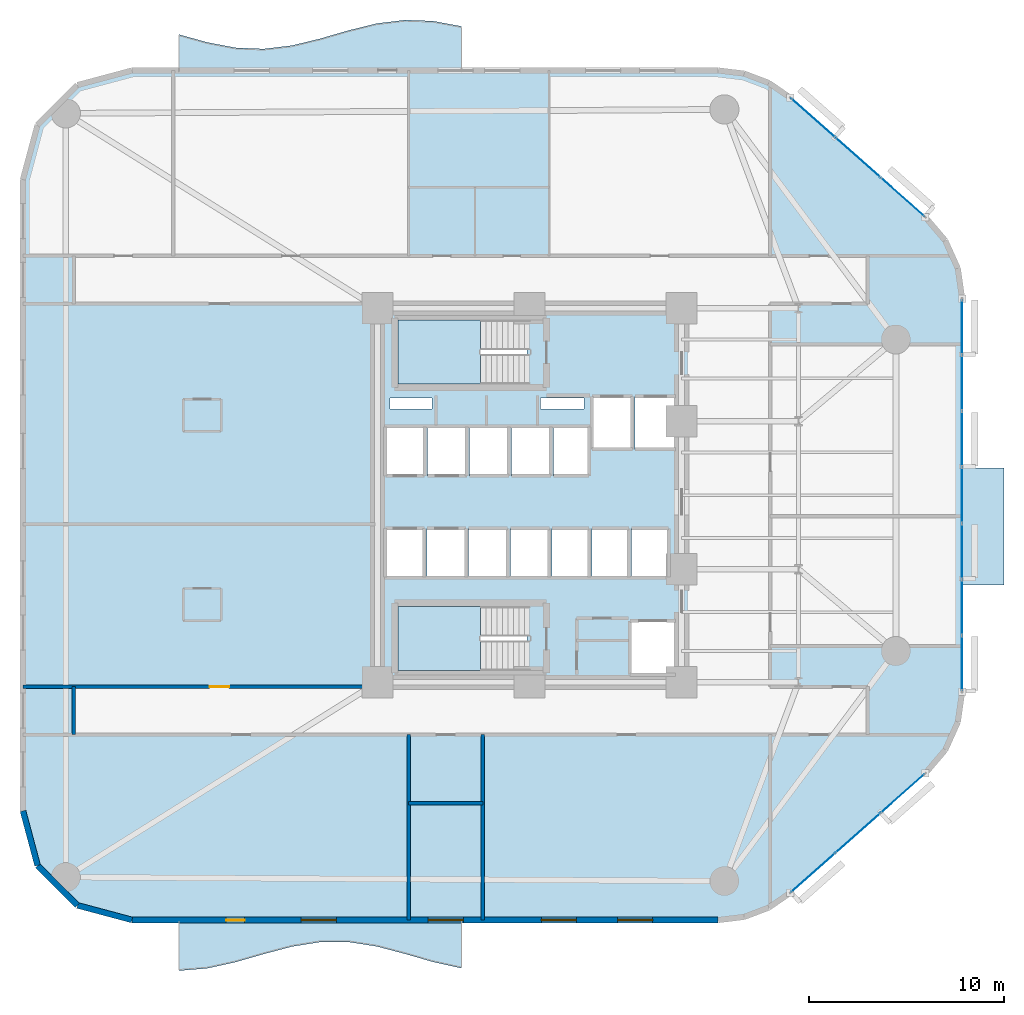
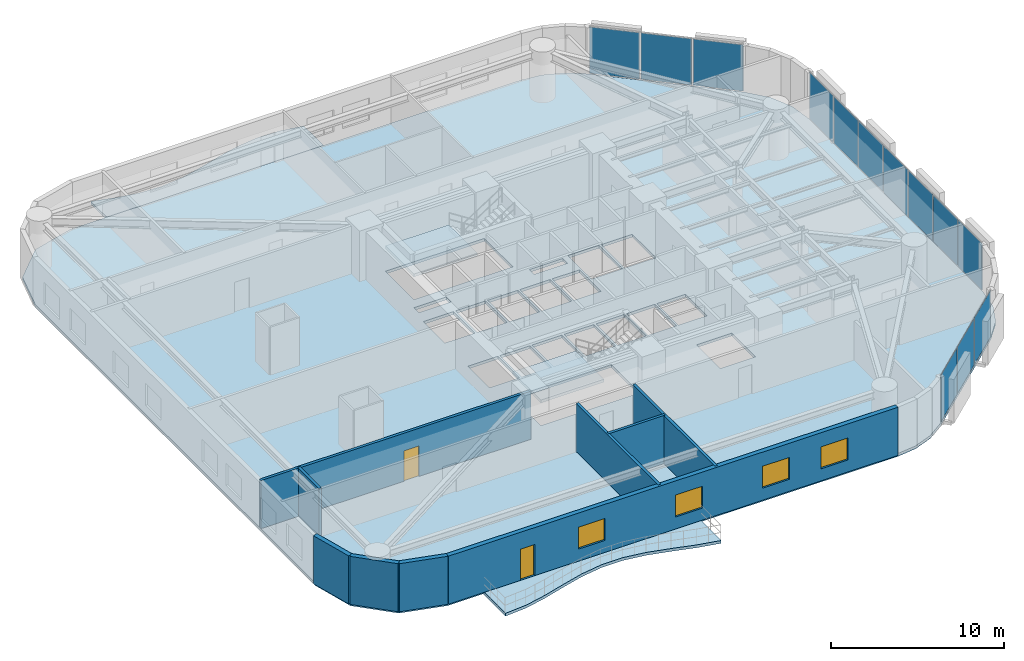
# One storey, part 9 of 16: 13 plates, 9 walls, 6 slabs, 4 windows, 2 doors, 6 openings, 5 elements without a shape of their own.
"""IFC4 building model written with IfcOpenShell, lengths in metres."""

from ifc_helpers import new_model, si_unit, direction, frame, frame_2d, origin, origin_2d, place, context, subcontext, project, spatial, polyline, rectangle, outline, extrude, material, layer, layer_set, type_object, element, fill, aggregate, save


model = new_model("IFC4")

# Units and contexts
model_context = context("Model", 3, precision=1e-05, world=origin(), true_north=direction((0.0, 1.0)))
body_context = subcontext(model_context, "Body", "Model", "MODEL_VIEW")
ifc_project = project(units=[si_unit("LENGTHUNIT", "METRE"), si_unit("AREAUNIT", "SQUARE_METRE"), si_unit("VOLUMEUNIT", "CUBIC_METRE"), si_unit("PLANEANGLEUNIT", "RADIAN"), si_unit("MASSUNIT", "GRAM", prefix="KILO")], contexts=[model_context])

# Site, building, storey
site_placement = place(None, origin())
site = spatial("IfcSite", under=ifc_project, at=site_placement, CompositionType="ELEMENT")
building_placement = place(site_placement, origin())
building = spatial("IfcBuilding", under=site, at=building_placement, Name="An Khanh Terracotta Commons", CompositionType="ELEMENT")
storey_placement = place(building_placement, frame((0.0, 0.0, 39.60009765625)))
storey = spatial("IfcBuildingStorey", under=building, at=storey_placement, Name="L10", CompositionType="ELEMENT", Elevation=39.60009765625)

# Curtain wall, plates
ifc_material_1 = material(Name="Anodised Aluminium 6063-T6", Category="aluminium")
ifc_layer_1 = layer(ifc_material_1, 0.199951171875, Name="Anodised Aluminium 6063-T6")
ifc_layer_set_1 = layer_set([ifc_layer_1], Name="Anodised Aluminium 6063-T6")
curtain_wall_type = type_object("IfcCurtainWallType", Name="CW-SYS-02", PredefinedType="USERDEFINED", material=ifc_layer_set_1)
curtain_wall_1_placement = place(storey_placement, origin())
curtain_wall_1 = element("IfcCurtainWall", 1, at=curtain_wall_1_placement, inside=storey, type_object=curtain_wall_type, Name="L10 CW-02 Unitised Curtain Wall CW-L10-08", ObjectType="UNITISED CURTAIN WALL", PredefinedType="USERDEFINED")
ifc_material_2 = material(Name="Double Low-E Solar Control Glazing", Category="glass")
ifc_layer_2 = layer(ifc_material_2, 0.028076171875, Name="Double Low-E Solar Control Glazing")
ifc_layer_set_2 = layer_set([ifc_layer_2], Name="Double Low-E Solar Control Glazing")
plate_type = type_object("IfcPlateType", Name="CWP-IGU-28", PredefinedType="CURTAIN_PANEL", material=ifc_layer_set_2)
plate_1_placement = place(storey_placement, frame((43.95556640625, 4.637939453125, 0.06005859375), z_axis=(0.0, 0.0, 1.0), x_axis=(0.749019284633, 0.662548195415, 0.0)))
plate_1 = element("IfcPlate", 2, at=plate_1_placement, type_object=plate_type, Name="CW-02 panel 1.1", PredefinedType="CURTAIN_PANEL", context=body_context, shape_type="SweptSolid", body=[
    extrude(rectangle(XDim=2.97509765625, YDim=0.028076171875, at=origin_2d()), origin(), (0.0, 0.0, 1.0), 3.280029296875),
])
plate_2_placement = place(storey_placement, frame((46.24951171875, 6.6669921875, 0.06005859375), z_axis=(0.0, 0.0, 1.0), x_axis=(0.749019284633, 0.662548195415, 0.0)))
plate_2 = element("IfcPlate", 3, at=plate_2_placement, type_object=plate_type, Name="CW-02 panel 2.1", PredefinedType="CURTAIN_PANEL", context=body_context, shape_type="SweptSolid", body=[
    extrude(rectangle(XDim=3.010009765625, YDim=0.028076171875, at=origin_2d()), origin(), (0.0, 0.0, 1.0), 3.280029296875),
])
plate_3_placement = place(storey_placement, frame((48.54345703125, 8.696044921875, 0.06005859375), z_axis=(0.0, 0.0, 1.0), x_axis=(0.749019284633, 0.662548195415, 0.0)))
plate_3 = element("IfcPlate", 4, at=plate_3_placement, type_object=plate_type, Name="CW-02 panel 3.1", PredefinedType="CURTAIN_PANEL", context=body_context, shape_type="SweptSolid", body=[
    extrude(rectangle(XDim=2.97509765625, YDim=0.028076171875, at=origin_2d()), origin(), (0.0, 0.0, 1.0), 3.280029296875),
])
aggregate(curtain_wall_1, [plate_1, plate_2, plate_3])

curtain_wall_2_placement = place(storey_placement, origin())
curtain_wall_2 = element("IfcCurtainWall", 5, at=curtain_wall_2_placement, inside=storey, type_object=curtain_wall_type, Name="L10 CW-02 Unitised Curtain Wall CW-L10-12", ObjectType="UNITISED CURTAIN WALL", PredefinedType="USERDEFINED")
plate_4_placement = place(storey_placement, frame((51.60009765625, 15.380126953125, 0.06005859375), z_axis=(0.0, 0.0, 1.0), x_axis=(0.0, 1.0, 0.0)))
plate_4 = element("IfcPlate", 6, at=plate_4_placement, type_object=plate_type, Name="CW-02 panel 1.1", PredefinedType="CURTAIN_PANEL", context=body_context, shape_type="SweptSolid", body=[
    extrude(rectangle(XDim=2.774169921875, YDim=0.028076171875, at=origin_2d()), origin(), (0.0, 0.0, 1.0), 3.280029296875),
])
plate_5_placement = place(storey_placement, frame((51.60009765625, 18.24169921875, 0.06005859375), z_axis=(0.0, 0.0, 1.0), x_axis=(0.0, 1.0, 0.0)))
plate_5 = element("IfcPlate", 7, at=plate_5_placement, type_object=plate_type, Name="CW-02 panel 2.1", PredefinedType="CURTAIN_PANEL", context=body_context, shape_type="SweptSolid", body=[
    extrude(rectangle(XDim=2.80908203125, YDim=0.028076171875, at=origin_2d()), origin(), (0.0, 0.0, 1.0), 3.280029296875),
])
plate_6_placement = place(storey_placement, frame((51.60009765625, 21.120849609375, 0.06005859375), z_axis=(0.0, 0.0, 1.0), x_axis=(0.0, 1.0, 0.0)))
plate_6 = element("IfcPlate", 8, at=plate_6_placement, type_object=plate_type, Name="CW-02 panel 3.1", PredefinedType="CURTAIN_PANEL", context=body_context, shape_type="SweptSolid", body=[
    extrude(rectangle(XDim=2.80908203125, YDim=0.028076171875, at=origin_2d()), origin(), (0.0, 0.0, 1.0), 3.280029296875),
])
plate_7_placement = place(storey_placement, frame((51.60009765625, 24.0, 0.06005859375), z_axis=(0.0, 0.0, 1.0), x_axis=(0.0, 1.0, 0.0)))
plate_7 = element("IfcPlate", 9, at=plate_7_placement, type_object=plate_type, Name="CW-02 panel 4.1", PredefinedType="CURTAIN_PANEL", context=body_context, shape_type="SweptSolid", body=[
    extrude(rectangle(XDim=2.80908203125, YDim=0.028076171875, at=origin_2d()), origin(), (0.0, 0.0, 1.0), 3.280029296875),
])
plate_8_placement = place(storey_placement, frame((51.60009765625, 26.879150390625, 0.06005859375), z_axis=(0.0, 0.0, 1.0), x_axis=(0.0, 1.0, 0.0)))
plate_8 = element("IfcPlate", 10, at=plate_8_placement, type_object=plate_type, Name="CW-02 panel 5.1", PredefinedType="CURTAIN_PANEL", context=body_context, shape_type="SweptSolid", body=[
    extrude(rectangle(XDim=2.80908203125, YDim=0.028076171875, at=origin_2d()), origin(), (0.0, 0.0, 1.0), 3.280029296875),
])
plate_9_placement = place(storey_placement, frame((51.60009765625, 29.75830078125, 0.06005859375), z_axis=(0.0, 0.0, 1.0), x_axis=(0.0, 1.0, 0.0)))
plate_9 = element("IfcPlate", 11, at=plate_9_placement, type_object=plate_type, Name="CW-02 panel 6.1", PredefinedType="CURTAIN_PANEL", context=body_context, shape_type="SweptSolid", body=[
    extrude(rectangle(XDim=2.80908203125, YDim=0.028076171875, at=origin_2d()), origin(), (0.0, 0.0, 1.0), 3.280029296875),
])
plate_10_placement = place(storey_placement, frame((51.60009765625, 32.619873046875, 0.06005859375), z_axis=(0.0, 0.0, 1.0), x_axis=(0.0, 1.0, 0.0)))
plate_10 = element("IfcPlate", 12, at=plate_10_placement, type_object=plate_type, Name="CW-02 panel 7.1", PredefinedType="CURTAIN_PANEL", context=body_context, shape_type="SweptSolid", body=[
    extrude(rectangle(XDim=2.774169921875, YDim=0.028076171875, at=origin_2d()), origin(), (0.0, 0.0, 1.0), 3.280029296875),
])
aggregate(curtain_wall_2, [plate_4, plate_5, plate_6, plate_7, plate_8, plate_9, plate_10])

curtain_wall_3_placement = place(storey_placement, origin())
curtain_wall_3 = element("IfcCurtainWall", 13, at=curtain_wall_3_placement, inside=storey, type_object=curtain_wall_type, Name="L10 CW-02 Unitised Curtain Wall CW-L10-16", ObjectType="UNITISED CURTAIN WALL", PredefinedType="USERDEFINED")
plate_11_placement = place(storey_placement, frame((48.54345703125, 39.303955078125, 0.06005859375), z_axis=(0.0, 0.0, 1.0), x_axis=(-0.749019284633, 0.662548195415, 0.0)))
plate_11 = element("IfcPlate", 14, at=plate_11_placement, type_object=plate_type, Name="CW-02 panel 1.1", PredefinedType="CURTAIN_PANEL", context=body_context, shape_type="SweptSolid", body=[
    extrude(rectangle(XDim=2.97509765625, YDim=0.028076171875, at=origin_2d()), origin(), (0.0, 0.0, 1.0), 3.280029296875),
])
plate_12_placement = place(storey_placement, frame((46.24951171875, 41.3330078125, 0.06005859375), z_axis=(0.0, 0.0, 1.0), x_axis=(-0.749019284633, 0.662548195415, 0.0)))
plate_12 = element("IfcPlate", 15, at=plate_12_placement, type_object=plate_type, Name="CW-02 panel 2.1", PredefinedType="CURTAIN_PANEL", context=body_context, shape_type="SweptSolid", body=[
    extrude(rectangle(XDim=3.010009765625, YDim=0.028076171875, at=origin_2d()), origin(), (0.0, 0.0, 1.0), 3.280029296875),
])
plate_13_placement = place(storey_placement, frame((43.95556640625, 43.362060546875, 0.06005859375), z_axis=(0.0, 0.0, 1.0), x_axis=(-0.749019284633, 0.662548195415, 0.0)))
plate_13 = element("IfcPlate", 16, at=plate_13_placement, type_object=plate_type, Name="CW-02 panel 3.1", PredefinedType="CURTAIN_PANEL", context=body_context, shape_type="SweptSolid", body=[
    extrude(rectangle(XDim=2.97509765625, YDim=0.028076171875, at=origin_2d()), origin(), (0.0, 0.0, 1.0), 3.280029296875),
])
aggregate(curtain_wall_3, [plate_11, plate_12, plate_13])

# Slabs
ifc_material_3 = material(Name="Concrete C40/50", Category="concrete")
ifc_layer_3 = layer(ifc_material_3, 0.199951171875, Name="Concrete C40/50")
ifc_layer_set_3 = layer_set([ifc_layer_3], Name="Concrete C40/50")
slab_type_1 = type_object("IfcSlabType", Name="SLAB-BALC-200", PredefinedType="FLOOR", material=ifc_layer_set_3)
slab_1_placement = place(storey_placement, frame((0.0, 0.0, -0.2001953125)))
element("IfcSlab", 17, at=slab_1_placement, inside=storey, type_object=slab_type_1, Name="L10 S Sinusoidal Wave Balcony Slab", PredefinedType="FLOOR", context=body_context, shape_type="SweptSolid", body=[
    extrude(outline(polyline([(11.39990234375, 2.199951171875), (11.39990234375, -0.39990234375), (12.85009765625, -0.281982421875), (14.300048828125, 0.035888671875), (15.75, 0.452880859375), (17.199951171875, 0.8369140625), (18.64990234375, 1.068115234375), (20.10009765625, 1.072021484375), (21.550048828125, 0.847900390625), (23.0, 0.467041015625), (24.449951171875, 0.049072265625), (25.89990234375, -0.27392578125), (25.89990234375, 2.199951171875), (11.39990234375, 2.199951171875)])), origin(), (0.0, 0.0, 1.0), 0.2001953125),
])
slab_2_placement = place(storey_placement, frame((0.0, 0.0, -0.2001953125)))
element("IfcSlab", 18, at=slab_2_placement, inside=storey, type_object=slab_type_1, Name="L10 N Sinusoidal Wave Balcony Slab", PredefinedType="FLOOR", context=body_context, shape_type="SweptSolid", body=[
    extrude(outline(polyline([(25.89990234375, 45.800048828125), (25.89990234375, 48.06689453125), (24.449951171875, 48.3369140625), (23.0, 48.39111328125), (21.550048828125, 48.2109375), (20.10009765625, 47.85400390625), (18.64990234375, 47.431884765625), (17.199951171875, 47.080078125), (15.75, 46.906982421875), (14.300048828125, 46.968994140625), (12.85009765625, 47.24609375), (11.39990234375, 47.64990234375), (11.39990234375, 45.800048828125), (25.89990234375, 45.800048828125)])), origin(), (0.0, 0.0, 1.0), 0.2001953125),
])
ifc_layer_4 = layer(ifc_material_3, 0.22998046875, Name="Concrete C40/50")
ifc_layer_set_4 = layer_set([ifc_layer_4], Name="Concrete C40/50")
slab_type_2 = type_object("IfcSlabType", Name="SLAB-BOXROOF-230", PredefinedType="ROOF", material=ifc_layer_set_4)
slab_3_placement = place(storey_placement, frame((0.0, 0.0, -0.2001953125)))
element("IfcSlab", 19, at=slab_3_placement, inside=storey, type_object=slab_type_2, Name="L10 Shifted Social Kitchen Box Closing Roof Slab (L09)", PredefinedType="ROOF", context=body_context, shape_type="SweptSolid", body=[
    extrude(outline(polyline([(51.60009765625, 19.39990234375), (53.75, 19.39990234375), (53.75, 25.39990234375), (51.60009765625, 25.39990234375), (51.60009765625, 19.39990234375)])), origin(), (0.0, 0.0, 1.0), 0.2001953125),
])

# Stair, slab
ifc_material_4 = material(Name="Precast concrete C40/50", Category="concrete")
stair_type = type_object("IfcStairType", Name="STAIR-CORE-1550", PredefinedType="HALF_TURN_STAIR", material=ifc_material_4)
stair_1_placement = place(storey_placement, origin())
stair_1 = element("IfcStair", 20, at=stair_1_placement, inside=storey, type_object=stair_type, Name="L10 Core Smokeproof Exit Stair ST-01", PredefinedType="HALF_TURN_STAIR")
ifc_layer_5 = layer(ifc_material_3, 0.18994140625, Name="Concrete C40/50")
ifc_layer_set_5 = layer_set([ifc_layer_5], Name="Concrete C40/50")
slab_type_3 = type_object("IfcSlabType", Name="SLAB-LANDING-190", PredefinedType="LANDING", material=ifc_layer_set_5)
slab_4_placement = place(storey_placement, frame((0.0, 0.0, 1.599853515625)))
slab_4 = element("IfcSlab", 21, at=slab_4_placement, type_object=slab_type_3, Name="ST-01 landing 1", PredefinedType="LANDING", context=body_context, shape_type="SweptSolid", body=[
    extrude(outline(polyline([(26.889892578125, 33.0), (22.64990234375, 33.0), (22.64990234375, 29.699951171875), (26.889892578125, 29.699951171875), (26.889892578125, 33.0)])), origin(), (0.0, 0.0, 1.0), 0.199951171875),
])
aggregate(stair_1, [slab_4])

stair_2_placement = place(storey_placement, origin())
stair_2 = element("IfcStair", 22, at=stair_2_placement, inside=storey, type_object=stair_type, Name="L10 Core Smokeproof Exit Stair ST-02", PredefinedType="HALF_TURN_STAIR")
slab_5_placement = place(storey_placement, frame((0.0, 0.0, 1.599853515625)))
slab_5 = element("IfcSlab", 23, at=slab_5_placement, type_object=slab_type_3, Name="ST-02 landing 1", PredefinedType="LANDING", context=body_context, shape_type="SweptSolid", body=[
    extrude(outline(polyline([(26.889892578125, 18.300048828125), (22.64990234375, 18.300048828125), (22.64990234375, 15.0), (26.889892578125, 15.0), (26.889892578125, 18.300048828125)])), origin(), (0.0, 0.0, 1.0), 0.199951171875),
])
aggregate(stair_2, [slab_5])

# Slab
ifc_layer_6 = layer(ifc_material_3, 0.199951171875, Name="Concrete C40/50")
ifc_layer_set_6 = layer_set([ifc_layer_6], Name="Concrete C40/50")
slab_type_4 = type_object("IfcSlabType", Name="SLAB-TYP-200", PredefinedType="FLOOR", material=ifc_layer_set_6)
slab_6_placement = place(storey_placement, frame((0.0, 0.0, -0.2001953125)))
element("IfcSlab", 24, at=slab_6_placement, inside=storey, type_object=slab_type_4, Name="L10 Structural Floor Slab", PredefinedType="FLOOR", context=body_context, shape_type="SweptSolid", body=[
    extrude(outline(polyline([(3.39990234375, 7.800048828125), (4.14990234375, 5.0), (6.199951171875, 2.949951171875), (9.0, 2.199951171875), (39.0791015625, 2.199951171875), (40.4169921875, 2.362060546875), (41.678955078125, 2.840087890625), (42.7890625, 3.60595703125), (49.7099609375, 9.72802734375), (50.73193359375, 10.927978515625), (51.37890625, 12.363037109375), (51.60009765625, 13.923095703125), (51.60009765625, 34.076904296875), (51.37890625, 35.636962890625), (50.73193359375, 37.072021484375), (49.7099609375, 38.27197265625), (42.7890625, 44.39404296875), (41.678955078125, 45.159912109375), (40.4169921875, 45.637939453125), (39.0791015625, 45.800048828125), (9.0, 45.800048828125), (6.199951171875, 45.050048828125), (4.14990234375, 43.0), (3.39990234375, 40.199951171875), (3.39990234375, 7.800048828125)]), holes=[polyline([(22.64990234375, 29.699951171875), (29.27001953125, 29.699951171875), (29.27001953125, 33.0), (22.64990234375, 33.0), (22.64990234375, 29.699951171875)]), polyline([(22.64990234375, 15.0), (29.27001953125, 15.0), (29.27001953125, 18.300048828125), (22.64990234375, 18.300048828125), (22.64990234375, 15.0)]), polyline([(32.60009765625, 26.35009765625), (34.679931640625, 26.35009765625), (34.679931640625, 29.080078125), (32.60009765625, 29.080078125), (32.60009765625, 26.35009765625)]), polyline([(34.820068359375, 26.35009765625), (36.89990234375, 26.35009765625), (36.89990234375, 29.080078125), (34.820068359375, 29.080078125), (34.820068359375, 26.35009765625)]), polyline([(34.550048828125, 14.800048828125), (36.89990234375, 14.800048828125), (36.89990234375, 17.550048828125), (34.550048828125, 17.550048828125), (34.550048828125, 14.800048828125)]), polyline([(22.0, 25.0), (24.02001953125, 25.0), (24.02001953125, 27.5), (22.0, 27.5), (22.0, 25.0)]), polyline([(24.159912109375, 25.0), (26.179931640625, 25.0), (26.179931640625, 27.5), (24.159912109375, 27.5), (24.159912109375, 25.0)]), polyline([(22.0, 19.800048828125), (24.0, 19.800048828125), (24.0, 22.300048828125), (22.0, 22.300048828125), (22.0, 19.800048828125)]), polyline([(24.139892578125, 19.800048828125), (26.139892578125, 19.800048828125), (26.139892578125, 22.300048828125), (24.139892578125, 22.300048828125), (24.139892578125, 19.800048828125)]), polyline([(26.320068359375, 25.0), (28.340087890625, 25.0), (28.340087890625, 27.5), (26.320068359375, 27.5), (26.320068359375, 25.0)]), polyline([(28.47998046875, 25.0), (30.5, 25.0), (30.5, 27.5), (28.47998046875, 27.5), (28.47998046875, 25.0)]), polyline([(26.280029296875, 19.800048828125), (28.280029296875, 19.800048828125), (28.280029296875, 22.300048828125), (26.280029296875, 22.300048828125), (26.280029296875, 19.800048828125)]), polyline([(28.419921875, 19.800048828125), (30.419921875, 19.800048828125), (30.419921875, 22.300048828125), (28.419921875, 22.300048828125), (28.419921875, 19.800048828125)]), polyline([(30.639892578125, 25.0), (32.4599609375, 25.0), (32.4599609375, 27.5), (30.639892578125, 27.5), (30.639892578125, 25.0)]), polyline([(30.56005859375, 19.800048828125), (32.4599609375, 19.800048828125), (32.4599609375, 22.300048828125), (30.56005859375, 22.300048828125), (30.56005859375, 19.800048828125)]), polyline([(32.60009765625, 19.800048828125), (34.5, 19.800048828125), (34.5, 22.300048828125), (32.60009765625, 22.300048828125), (32.60009765625, 19.800048828125)]), polyline([(34.639892578125, 19.800048828125), (36.5400390625, 19.800048828125), (36.5400390625, 22.300048828125), (34.639892578125, 22.300048828125), (34.639892578125, 19.800048828125)]), polyline([(22.25, 28.419921875), (24.39990234375, 28.419921875), (24.39990234375, 28.97998046875), (22.25, 28.97998046875), (22.25, 28.419921875)]), polyline([(29.949951171875, 28.419921875), (32.199951171875, 28.419921875), (32.199951171875, 28.97998046875), (29.949951171875, 28.97998046875), (29.949951171875, 28.419921875)])]), origin(), (0.0, 0.0, 1.0), 0.2001953125),
])

# Wall
ifc_material_5 = material(Name="Fire-Rated Gypsum Board on Steel Stud", Category="steel")
ifc_layer_7 = layer(ifc_material_5, 0.179931640625, Name="Fire-Rated Gypsum Board on Steel Stud")
ifc_layer_set_7 = layer_set([ifc_layer_7], Name="Fire-Rated Gypsum Board on Steel Stud")
wall_type_1 = type_object("IfcWallType", Name="WALL-CORR-180", PredefinedType="PARTITIONING", material=ifc_layer_set_7)
wall_1_placement = place(storey_placement, frame((23.199951171875, 8.199951171875, 0.0), z_axis=(0.0, 0.0, 1.0), x_axis=(1.0, 0.0, 0.0)))
element("IfcWall", 25, at=wall_1_placement, inside=storey, type_object=wall_type_1, Name="L10 Interior Partition IW-L10-E001", PredefinedType="PARTITIONING", context=body_context, shape_type="SweptSolid", body=[
    extrude(rectangle(XDim=3.800048828125, YDim=0.179931640625, at=frame_2d((1.89990234375, 0.0))), origin(), (0.0, 0.0, 1.0), 3.39990234375),
])

# Wall, opening, door
wall_2_placement = place(storey_placement, frame((3.39990234375, 14.179931640625, 0.0), z_axis=(0.0, 0.0, 1.0), x_axis=(1.0, 0.0, 0.0)))
wall_2 = element("IfcWall", 26, at=wall_2_placement, inside=storey, type_object=wall_type_1, Name="L10 Interior Partition IW-L10-E003", PredefinedType="PARTITIONING", context=body_context, shape_type="SweptSolid", body=[
    extrude(rectangle(XDim=18.080078125, YDim=0.179931640625, at=frame_2d((9.0400390625, 0.0))), origin(), (0.0, 0.0, 1.0), 3.39990234375),
])
opening_1_placement = place(wall_2_placement, frame((9.580078125, 0.0, 0.0)))
opening_1 = element("IfcOpeningElement", 27, at=opening_1_placement, cuts=wall_2, Name="Opening D-UN", PredefinedType="OPENING", context=body_context, shape_type="SweptSolid", body=[
    extrude(rectangle(XDim=1.0, YDim=2.14990234375, at=frame_2d((0.5, 1.074951171875))), frame((0.0, 0.099853515625, 0.0), z_axis=(0.0, -1.0, 0.0), x_axis=(1.0, 0.0, 0.0)), (0.0, 0.0, 1.0), 0.199951171875),
])
ifc_material_6 = material(Name="Solid-Core Hardwood Acoustic Fire Door", Category="wood")
door_type_1 = type_object("IfcDoorType", Name="DOOR-UNIT-1000", OperationType="NOTDEFINED", PredefinedType="DOOR", material=ifc_material_6)
door_1_placement = place(opening_1_placement, origin())
door_1 = element("IfcDoor", 28, at=door_1_placement, inside=storey, type_object=door_type_1, Name="L10 WW1 Kitchenette and Studio Apartment Door", OperationType="SINGLE_SWING_RIGHT", OverallHeight=2.14990234375, OverallWidth=1.0, PredefinedType="DOOR", context=body_context, shape_type="SweptSolid", body=[
    extrude(rectangle(XDim=1.0, YDim=2.14990234375, at=frame_2d((0.5, 1.074951171875))), frame((0.0, 0.02490234375, 0.0), z_axis=(0.0, -1.0, 0.0), x_axis=(1.0, 0.0, 0.0)), (0.0, 0.0, 1.0), 0.050048828125),
])
fill(opening_1, door_1)

# Walls
wall_3_placement = place(storey_placement, frame((6.0, 11.719970703125, 0.0), z_axis=(0.0, 0.0, 1.0), x_axis=(0.0, 1.0, 0.0)))
element("IfcWall", 29, at=wall_3_placement, inside=storey, type_object=wall_type_1, Name="L10 Interior Partition IW-L10-E013", PredefinedType="PARTITIONING", context=body_context, shape_type="SweptSolid", body=[
    extrude(rectangle(XDim=2.4599609375, YDim=0.179931640625, at=frame_2d((1.22998046875, 0.0))), origin(), (0.0, 0.0, 1.0), 3.39990234375),
])
for number, where, z_axis, x_axis, name in (
    (30, (23.199951171875, 2.199951171875, 0.0), (0.0, 0.0, 1.0), (0.0, 1.0, 0.0), "L10 Interior Partition IW-L10-E016"),
    (31, (27.0, 2.199951171875, 0.0), (0.0, 0.0, 1.0), (0.0, 1.0, 0.0), "L10 Interior Partition IW-L10-E019"),
):
    element("IfcWall", number, at=place(storey_placement, frame(where, z_axis=z_axis, x_axis=x_axis)), inside=storey, type_object=wall_type_1, Name=name, PredefinedType="PARTITIONING", context=body_context, shape_type="SweptSolid", body=[
        extrude(rectangle(XDim=9.52001953125, YDim=0.179931640625, at=frame_2d((4.760009765625, 0.0))), origin(), (0.0, 0.0, 1.0), 3.39990234375),
    ])
ifc_layer_8 = layer(ifc_material_4, 0.300048828125, Name="Precast concrete C40/50")
ifc_layer_set_8 = layer_set([ifc_layer_8], Name="Precast concrete C40/50")
wall_type_2 = type_object("IfcWallType", Name="WALL-EXT-300", PredefinedType="SOLIDWALL", material=ifc_layer_set_8)
wall_4_placement = place(storey_placement, frame((3.39990234375, 7.800048828125, 0.0), z_axis=(0.0, 0.0, 1.0), x_axis=(0.258731875344, -0.96594917914, 0.0)))
element("IfcWall", 32, at=wall_4_placement, inside=storey, type_object=wall_type_2, Name="L10 Insulated Terracotta Exterior Wall 1", PredefinedType="SOLIDWALL", context=body_context, shape_type="SweptSolid", body=[
    extrude(rectangle(XDim=2.898681640625, YDim=0.300048828125, at=frame_2d((1.44921875, 0.0))), origin(), (0.0, 0.0, 1.0), 3.39990234375),
])
wall_5_placement = place(storey_placement, frame((4.14990234375, 5.0, 0.0), z_axis=(0.0, 0.0, 1.0), x_axis=(0.707106781187, -0.707106781187, 0.0)))
element("IfcWall", 33, at=wall_5_placement, inside=storey, type_object=wall_type_2, Name="L10 Insulated Terracotta Exterior Wall 2", PredefinedType="SOLIDWALL", context=body_context, shape_type="SweptSolid", body=[
    extrude(rectangle(XDim=2.899169921875, YDim=0.300048828125, at=frame_2d((1.44970703125, 0.0))), origin(), (0.0, 0.0, 1.0), 3.39990234375),
])
wall_6_placement = place(storey_placement, frame((6.199951171875, 2.949951171875, 0.0), z_axis=(0.0, 0.0, 1.0), x_axis=(0.96594917914, -0.258731875344, 0.0)))
element("IfcWall", 34, at=wall_6_placement, inside=storey, type_object=wall_type_2, Name="L10 Insulated Terracotta Exterior Wall 3", PredefinedType="SOLIDWALL", context=body_context, shape_type="SweptSolid", body=[
    extrude(rectangle(XDim=2.898681640625, YDim=0.300048828125, at=frame_2d((1.44921875, 0.0))), origin(), (0.0, 0.0, 1.0), 3.39990234375),
])

# Wall, openings, door, windows
wall_7_placement = place(storey_placement, frame((9.0, 2.199951171875, 0.0), z_axis=(0.0, 0.0, 1.0), x_axis=(1.0, 0.0, 0.0)))
wall_7 = element("IfcWall", 35, at=wall_7_placement, inside=storey, type_object=wall_type_2, Name="L10 Insulated Terracotta Exterior Wall 4", PredefinedType="SOLIDWALL", context=body_context, shape_type="SweptSolid", body=[
    extrude(rectangle(XDim=30.0791015625, YDim=0.300048828125, at=frame_2d((15.03955078125, 0.0))), origin(), (0.0, 0.0, 1.0), 3.39990234375),
])
opening_2_placement = place(wall_7_placement, frame((4.824951171875, 0.0, 0.0)))
opening_2 = element("IfcOpeningElement", 36, at=opening_2_placement, cuts=wall_7, Name="Opening D-BAL", PredefinedType="OPENING", context=body_context, shape_type="SweptSolid", body=[
    extrude(rectangle(XDim=0.949951171875, YDim=2.199951171875, at=frame_2d((0.47509765625, 1.10009765625))), frame((0.0, 0.159912109375, 0.0), z_axis=(0.0, -1.0, 0.0), x_axis=(1.0, 0.0, 0.0)), (0.0, 0.0, 1.0), 0.320068359375),
])
opening_3_placement = place(wall_7_placement, frame((8.68310546875, 0.0, 0.85009765625)))
opening_3 = element("IfcOpeningElement", 37, at=opening_3_placement, cuts=wall_7, Name="Opening W-01", PredefinedType="OPENING", context=body_context, shape_type="SweptSolid", body=[
    extrude(rectangle(XDim=1.800048828125, YDim=1.550048828125, at=frame_2d((0.89990234375, 0.77490234375))), frame((0.0, 0.159912109375, 0.0), z_axis=(0.0, -1.0, 0.0), x_axis=(1.0, 0.0, 0.0)), (0.0, 0.0, 1.0), 0.320068359375),
])
opening_4_placement = place(wall_7_placement, frame((15.199951171875, 0.0, 0.85009765625)))
opening_4 = element("IfcOpeningElement", 38, at=opening_4_placement, cuts=wall_7, Name="Opening W-01", PredefinedType="OPENING", context=body_context, shape_type="SweptSolid", body=[
    extrude(rectangle(XDim=1.800048828125, YDim=1.550048828125, at=frame_2d((0.89990234375, 0.77490234375))), frame((0.0, 0.159912109375, 0.0), z_axis=(0.0, -1.0, 0.0), x_axis=(1.0, 0.0, 0.0)), (0.0, 0.0, 1.0), 0.320068359375),
])
opening_5_placement = place(wall_7_placement, frame((21.010009765625, 0.0, 0.85009765625)))
opening_5 = element("IfcOpeningElement", 39, at=opening_5_placement, cuts=wall_7, Name="Opening W-01", PredefinedType="OPENING", context=body_context, shape_type="SweptSolid", body=[
    extrude(rectangle(XDim=1.800048828125, YDim=1.550048828125, at=frame_2d((0.89990234375, 0.77490234375))), frame((0.0, 0.159912109375, 0.0), z_axis=(0.0, -1.0, 0.0), x_axis=(1.0, 0.0, 0.0)), (0.0, 0.0, 1.0), 0.320068359375),
])
opening_6_placement = place(wall_7_placement, frame((24.9189453125, 0.0, 0.85009765625)))
opening_6 = element("IfcOpeningElement", 40, at=opening_6_placement, cuts=wall_7, Name="Opening W-01", PredefinedType="OPENING", context=body_context, shape_type="SweptSolid", body=[
    extrude(rectangle(XDim=1.800048828125, YDim=1.550048828125, at=frame_2d((0.89990234375, 0.77490234375))), frame((0.0, 0.159912109375, 0.0), z_axis=(0.0, -1.0, 0.0), x_axis=(1.0, 0.0, 0.0)), (0.0, 0.0, 1.0), 0.320068359375),
])
ifc_material_7 = material(Name="Thermally Broken Aluminium and Low-E Glass", Category="aluminium")
door_type_2 = type_object("IfcDoorType", Name="DOOR-BALC-950", OperationType="NOTDEFINED", PredefinedType="DOOR", material=ifc_material_7)
door_2_placement = place(opening_2_placement, origin())
door_2 = element("IfcDoor", 41, at=door_2_placement, inside=storey, type_object=door_type_2, Name="L10 S Wave Balcony Glazed Door", OperationType="SINGLE_SWING_LEFT", OverallHeight=2.199951171875, OverallWidth=0.949951171875, PredefinedType="DOOR", context=body_context, shape_type="SweptSolid", body=[
    extrude(rectangle(XDim=0.949951171875, YDim=2.199951171875, at=frame_2d((0.47509765625, 1.10009765625))), frame((0.0, 0.02490234375, 0.0), z_axis=(0.0, -1.0, 0.0), x_axis=(1.0, 0.0, 0.0)), (0.0, 0.0, 1.0), 0.050048828125),
])
fill(opening_2, door_2)
window_type = type_object("IfcWindowType", Name="WIN-Z1-1800x1550", PartitioningType="DOUBLE_PANEL_VERTICAL", PredefinedType="WINDOW", material=ifc_material_7)
window_1_placement = place(opening_3_placement, origin())
window_1 = element("IfcWindow", 42, at=window_1_placement, inside=storey, type_object=window_type, Name="L10 Operable Casement Window 4.1", OverallHeight=1.550048828125, OverallWidth=1.800048828125, PartitioningType="DOUBLE_PANEL_VERTICAL", PredefinedType="WINDOW", context=body_context, shape_type="SweptSolid", body=[
    extrude(rectangle(XDim=1.800048828125, YDim=1.550048828125, at=frame_2d((0.89990234375, 0.77490234375))), frame((0.0, 0.030029296875, 0.0), z_axis=(0.0, -1.0, 0.0), x_axis=(1.0, 0.0, 0.0)), (0.0, 0.0, 1.0), 0.06005859375),
])
fill(opening_3, window_1)
window_2_placement = place(opening_4_placement, origin())
window_2 = element("IfcWindow", 43, at=window_2_placement, inside=storey, type_object=window_type, Name="L10 Operable Casement Window 4.2", OverallHeight=1.550048828125, OverallWidth=1.800048828125, PartitioningType="DOUBLE_PANEL_VERTICAL", PredefinedType="WINDOW", context=body_context, shape_type="SweptSolid", body=[
    extrude(rectangle(XDim=1.800048828125, YDim=1.550048828125, at=frame_2d((0.89990234375, 0.77490234375))), frame((0.0, 0.030029296875, 0.0), z_axis=(0.0, -1.0, 0.0), x_axis=(1.0, 0.0, 0.0)), (0.0, 0.0, 1.0), 0.06005859375),
])
fill(opening_4, window_2)
window_3_placement = place(opening_5_placement, origin())
window_3 = element("IfcWindow", 44, at=window_3_placement, inside=storey, type_object=window_type, Name="L10 Operable Casement Window 4.3", OverallHeight=1.550048828125, OverallWidth=1.800048828125, PartitioningType="DOUBLE_PANEL_VERTICAL", PredefinedType="WINDOW", context=body_context, shape_type="SweptSolid", body=[
    extrude(rectangle(XDim=1.800048828125, YDim=1.550048828125, at=frame_2d((0.89990234375, 0.77490234375))), frame((0.0, 0.030029296875, 0.0), z_axis=(0.0, -1.0, 0.0), x_axis=(1.0, 0.0, 0.0)), (0.0, 0.0, 1.0), 0.06005859375),
])
fill(opening_5, window_3)
window_4_placement = place(opening_6_placement, origin())
window_4 = element("IfcWindow", 45, at=window_4_placement, inside=storey, type_object=window_type, Name="L10 Operable Casement Window 4.4", OverallHeight=1.550048828125, OverallWidth=1.800048828125, PartitioningType="DOUBLE_PANEL_VERTICAL", PredefinedType="WINDOW", context=body_context, shape_type="SweptSolid", body=[
    extrude(rectangle(XDim=1.800048828125, YDim=1.550048828125, at=frame_2d((0.89990234375, 0.77490234375))), frame((0.0, 0.030029296875, 0.0), z_axis=(0.0, -1.0, 0.0), x_axis=(1.0, 0.0, 0.0)), (0.0, 0.0, 1.0), 0.06005859375),
])
fill(opening_6, window_4)

save(model, "model.ifc")
